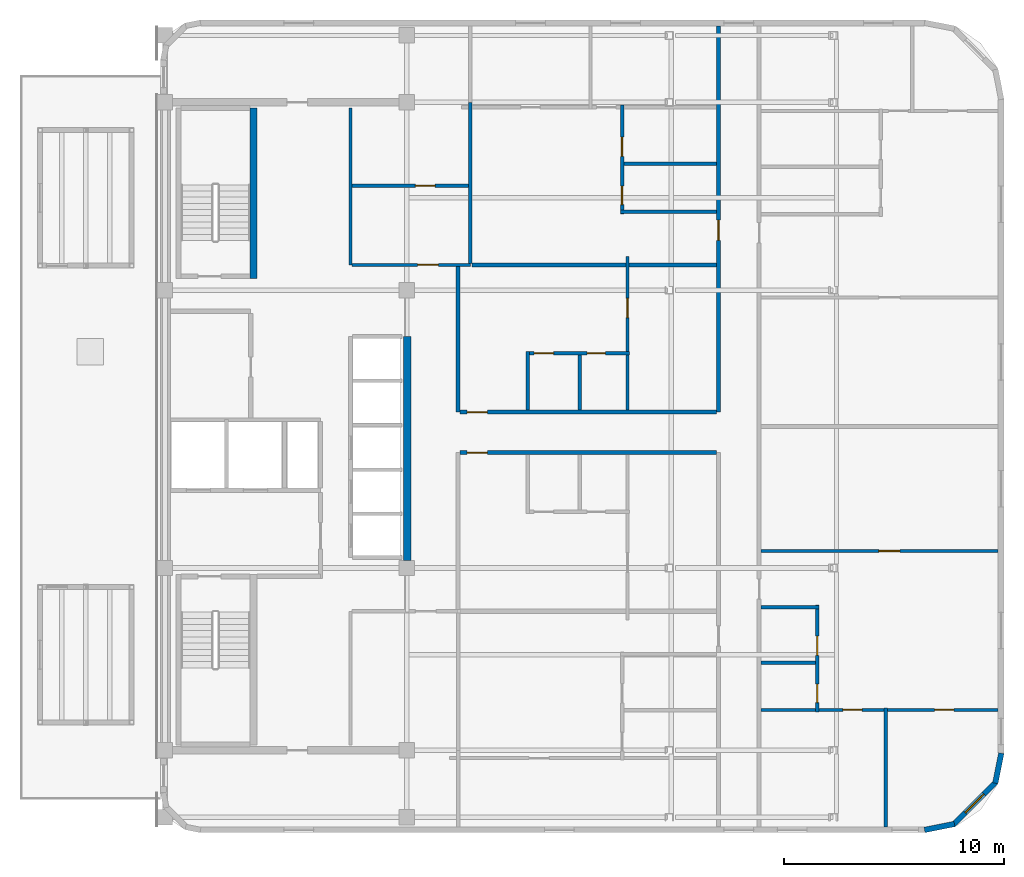
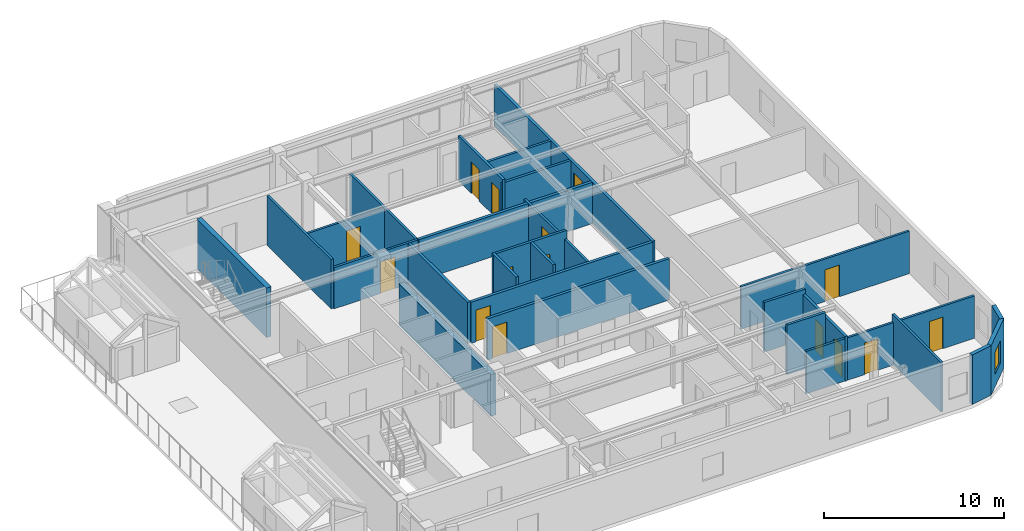
# One storey, part 10 of 13: 27 walls, 15 doors, 1 window, 16 openings.
"""IFC4 building model written with IfcOpenShell, lengths in metres."""

from ifc_helpers import new_model, si_unit, direction, frame, frame_2d, origin, place, context, subcontext, project, spatial, rectangle, extrude, material, layer, layer_set, type_object, element, fill, save


model = new_model("IFC4")

# Units and contexts
model_context = context("Model", 3, precision=1e-05, world=origin(), true_north=direction((0.0, 1.0)))
body_context = subcontext(model_context, "Body", "Model", "MODEL_VIEW")
ifc_project = project(units=[si_unit("LENGTHUNIT", "METRE"), si_unit("AREAUNIT", "SQUARE_METRE"), si_unit("VOLUMEUNIT", "CUBIC_METRE"), si_unit("PLANEANGLEUNIT", "RADIAN"), si_unit("MASSUNIT", "GRAM", prefix="KILO")], contexts=[model_context])

# Site, building, storey
site_placement = place(None, origin())
site = spatial("IfcSite", under=ifc_project, at=site_placement, CompositionType="ELEMENT")
building_placement = place(site_placement, origin())
building = spatial("IfcBuilding", under=site, at=building_placement, Name="Ochreholt Gables", CompositionType="ELEMENT")
storey_placement = place(building_placement, frame((0.0, 0.0, 205.800048828125)))
storey = spatial("IfcBuildingStorey", under=building, at=storey_placement, Name="L53", CompositionType="ELEMENT", Elevation=205.800048828125)

# Walls
ifc_material_1 = material(Name="Concrete 50 MPa", Category="concrete")
ifc_layer_1 = layer(ifc_material_1, 0.35009765625, Name="Concrete 50 MPa")
ifc_layer_set_1 = layer_set([ifc_layer_1], Name="Concrete 50 MPa")
wall_type_1 = type_object("IfcWallType", Name="WALL-CSW-350", PredefinedType="SHEAR", material=ifc_layer_set_1)
wall_1_placement = place(storey_placement, frame((35.22509765625, 17.89990234375, 0.0), z_axis=(0.0, 0.0, 1.0), x_axis=(0.0, 1.0, 0.0)))
element("IfcWall", 1, at=wall_1_placement, inside=storey, type_object=wall_type_1, Name="L53 Core Central-East Shear Wall", PredefinedType="SHEAR", context=body_context, shape_type="SweptSolid", body=[
    extrude(rectangle(XDim=10.2001953125, YDim=0.35009765625, at=frame_2d((5.10009765625, 0.0))), origin(), (0.0, 0.0, 1.0), 2.821044921875),
])
ifc_material_2 = material(Name="Precast concrete 40 MPa", Category="concrete")
ifc_layer_2 = layer(ifc_material_2, 0.25, Name="Precast concrete 40 MPa")
ifc_layer_set_2 = layer_set([ifc_layer_2], Name="Precast concrete 40 MPa")
wall_type_2 = type_object("IfcWallType", Name="WALL-EXT-CNR", PredefinedType="SOLIDWALL", material=ifc_layer_set_2)
wall_2_placement = place(storey_placement, frame((58.783447265625, 5.624267578125, 0.0), z_axis=(0.0, 0.0, 1.0), x_axis=(0.980809899341, 0.19496651342, 0.0)))
element("IfcWall", 2, at=wall_2_placement, inside=storey, type_object=wall_type_2, Name="L53 Rounded Corner Wall SE-1", PredefinedType="SOLIDWALL", context=body_context, shape_type="SweptSolid", body=[
    extrude(rectangle(XDim=1.388671875, YDim=0.25, at=frame_2d((0.6943359375, 0.0))), origin(), (0.0, 0.0, 1.0), 3.35986328125),
])

# Wall, opening, window
wall_3_placement = place(storey_placement, frame((60.094970703125, 5.867919921875, 0.0), z_axis=(0.0, 0.0, 1.0), x_axis=(0.707106781187, 0.707106781187, 0.0)))
wall_3 = element("IfcWall", 3, at=wall_3_placement, inside=storey, type_object=wall_type_2, Name="L53 Rounded Corner Wall SE-2", PredefinedType="SOLIDWALL", context=body_context, shape_type="SweptSolid", body=[
    extrude(rectangle(XDim=2.7392578125, YDim=0.25, at=frame_2d((1.36962890625, 0.0))), origin(), (0.0, 0.0, 1.0), 3.35986328125),
])
opening_1_placement = place(wall_3_placement, frame((0.769775390625, 0.0, 0.85009765625)))
opening_1 = element("IfcOpeningElement", 4, at=opening_1_placement, cuts=wall_3, Name="Opening WN-3", PredefinedType="OPENING", context=body_context, shape_type="SweptSolid", body=[
    extrude(rectangle(XDim=1.199951171875, YDim=1.5, at=frame_2d((0.60009765625, 0.75))), frame((0.0, 0.135009765625, 0.0), z_axis=(0.0, -1.0, 0.0), x_axis=(1.0, 0.0, 0.0)), (0.0, 0.0, 1.0), 0.27001953125),
])
ifc_material_3 = material(Name="Triple-Glazed Thermally Broken Aluminium Window", Category="aluminium")
window_type = type_object("IfcWindowType", Name="WIN-RES-1200", PartitioningType="SINGLE_PANEL", PredefinedType="WINDOW", material=ifc_material_3)
window_placement = place(opening_1_placement, origin())
window = element("IfcWindow", 5, at=window_placement, inside=storey, type_object=window_type, Name="L53 Corner Bedroom Window SE", OverallHeight=1.5, OverallWidth=1.199951171875, PartitioningType="SINGLE_PANEL", PredefinedType="WINDOW", context=body_context, shape_type="SweptSolid", body=[
    extrude(rectangle(XDim=1.199951171875, YDim=1.5, at=frame_2d((0.60009765625, 0.75))), frame((0.0, 0.030029296875, 0.0), z_axis=(0.0, -1.0, 0.0), x_axis=(1.0, 0.0, 0.0)), (0.0, 0.0, 1.0), 0.06005859375),
])
fill(opening_1, window)

# Walls
wall_4_placement = place(storey_placement, frame((62.0048828125, 7.75439453125, 0.0), z_axis=(0.0, 0.0, 1.0), x_axis=(0.195135625965, 0.9807762678, 0.0)))
element("IfcWall", 6, at=wall_4_placement, inside=storey, type_object=wall_type_2, Name="L53 Rounded Corner Wall SE-3", PredefinedType="SOLIDWALL", context=body_context, shape_type="SweptSolid", body=[
    extrude(rectangle(XDim=1.388671875, YDim=0.25, at=frame_2d((0.6943359375, 0.0))), origin(), (0.0, 0.0, 1.0), 3.35986328125),
])
ifc_material_4 = material(Name="Fire-Rated Gypsum Acoustic Partition", Category="gypsum")
ifc_layer_3 = layer(ifc_material_4, 0.179931640625, Name="Fire-Rated Gypsum Acoustic Partition")
ifc_layer_set_3 = layer_set([ifc_layer_3], Name="Fire-Rated Gypsum Acoustic Partition")
wall_type_3 = type_object("IfcWallType", Name="WALL-INT-CR180", PredefinedType="STANDARD", material=ifc_layer_set_3)
wall_5_placement = place(storey_placement, frame((37.550048828125, 24.64990234375, 0.0), z_axis=(0.0, 0.0, 1.0), x_axis=(0.0, 1.0, 0.0)))
element("IfcWall", 7, at=wall_5_placement, inside=storey, type_object=wall_type_3, Name="L53 Interior Wall WI-C3CE2-L53", PredefinedType="STANDARD", context=body_context, shape_type="SweptSolid", body=[
    extrude(rectangle(XDim=6.627685546875, YDim=0.179931640625, at=frame_2d((3.31396484375, 0.0))), origin(), (0.0, 0.0, 1.0), 2.802978515625),
])

# Wall, opening, door
wall_6_placement = place(storey_placement, frame((49.39990234375, 24.64990234375, 0.0), z_axis=(0.0, 0.0, 1.0), x_axis=(0.0, 1.0, 0.0)))
wall_6 = element("IfcWall", 8, at=wall_6_placement, inside=storey, type_object=wall_type_3, Name="L53 Interior Wall WI-C3GW2-L53", PredefinedType="STANDARD", context=body_context, shape_type="SweptSolid", body=[
    extrude(rectangle(XDim=17.580078125, YDim=0.179931640625, at=frame_2d((8.7900390625, 0.0))), origin(), (0.0, 0.0, 1.0), 2.802978515625),
])
opening_2_placement = place(wall_6_placement, frame((7.8173828125, 0.0, 0.0)))
opening_2 = element("IfcOpeningElement", 9, at=opening_2_placement, cuts=wall_6, Name="Opening D-UN1", PredefinedType="OPENING", context=body_context, shape_type="SweptSolid", body=[
    extrude(rectangle(XDim=0.919921875, YDim=2.14990234375, at=frame_2d((0.4599609375, 1.074951171875))), frame((0.0, 0.099853515625, 0.0), z_axis=(0.0, -1.0, 0.0), x_axis=(1.0, 0.0, 0.0)), (0.0, 0.0, 1.0), 0.199951171875),
])
ifc_material_5 = material(Name="Engineered Oak Timber", Category="wood")
door_type_1 = type_object("IfcDoorType", Name="DR-INT-UNT920", OperationType="NOTDEFINED", PredefinedType="DOOR", material=ifc_material_5)
door_1_placement = place(opening_2_placement, origin())
door_1 = element("IfcDoor", 10, at=door_1_placement, inside=storey, type_object=door_type_1, Name="L53 Door D-U-L53NM2-ENT", OperationType="SINGLE_SWING_LEFT", OverallHeight=2.14990234375, OverallWidth=0.919921875, PredefinedType="DOOR", context=body_context, shape_type="SweptSolid", body=[
    extrude(rectangle(XDim=0.919921875, YDim=2.14990234375, at=frame_2d((0.4599609375, 1.074951171875))), frame((0.0, 0.02490234375, 0.0), z_axis=(0.0, -1.0, 0.0), x_axis=(1.0, 0.0, 0.0)), (0.0, 0.0, 1.0), 0.050048828125),
])
fill(opening_2, door_1)

wall_7_placement = place(storey_placement, frame((37.639892578125, 22.800048828125, 0.0), z_axis=(0.0, 0.0, 1.0), x_axis=(1.0, 0.0, 0.0)))
wall_7 = element("IfcWall", 11, at=wall_7_placement, inside=storey, type_object=wall_type_3, Name="L53 Interior Wall WI-C3BRS1-L53", PredefinedType="STANDARD", context=body_context, shape_type="SweptSolid", body=[
    extrude(rectangle(XDim=11.670166015625, YDim=0.179931640625, at=frame_2d((5.8349609375, 0.0))), origin(), (0.0, 0.0, 1.0), 2.802978515625),
])
opening_3_placement = place(wall_7_placement, frame((0.320068359375, 0.0, 0.0)))
opening_3 = element("IfcOpeningElement", 12, at=opening_3_placement, cuts=wall_7, Name="Opening D-UN1", PredefinedType="OPENING", context=body_context, shape_type="SweptSolid", body=[
    extrude(rectangle(XDim=0.919921875, YDim=2.14990234375, at=frame_2d((0.4599609375, 1.074951171875))), frame((0.0, 0.099853515625, 0.0), z_axis=(0.0, -1.0, 0.0), x_axis=(1.0, 0.0, 0.0)), (0.0, 0.0, 1.0), 0.199951171875),
])
door_2_placement = place(opening_3_placement, origin())
door_2 = element("IfcDoor", 13, at=door_2_placement, inside=storey, type_object=door_type_1, Name="L53 Door D-U-L53SM2-ENT", OperationType="SINGLE_SWING_RIGHT", OverallHeight=2.14990234375, OverallWidth=0.919921875, PredefinedType="DOOR", context=body_context, shape_type="SweptSolid", body=[
    extrude(rectangle(XDim=0.919921875, YDim=2.14990234375, at=frame_2d((0.4599609375, 1.074951171875))), frame((0.0, 0.02490234375, 0.0), z_axis=(0.0, -1.0, 0.0), x_axis=(1.0, 0.0, 0.0)), (0.0, 0.0, 1.0), 0.050048828125),
])
fill(opening_3, door_2)

wall_8_placement = place(storey_placement, frame((37.639892578125, 24.64990234375, 0.0), z_axis=(0.0, 0.0, 1.0), x_axis=(1.0, 0.0, 0.0)))
wall_8 = element("IfcWall", 14, at=wall_8_placement, inside=storey, type_object=wall_type_3, Name="L53 Interior Wall WI-C3BRN1-L53", PredefinedType="STANDARD", context=body_context, shape_type="SweptSolid", body=[
    extrude(rectangle(XDim=11.670166015625, YDim=0.179931640625, at=frame_2d((5.8349609375, 0.0))), origin(), (0.0, 0.0, 1.0), 2.802978515625),
])
opening_4_placement = place(wall_8_placement, frame((0.320068359375, 0.0, 0.0)))
opening_4 = element("IfcOpeningElement", 15, at=opening_4_placement, cuts=wall_8, Name="Opening D-UN1", PredefinedType="OPENING", context=body_context, shape_type="SweptSolid", body=[
    extrude(rectangle(XDim=0.919921875, YDim=2.14990234375, at=frame_2d((0.4599609375, 1.074951171875))), frame((0.0, 0.099853515625, 0.0), z_axis=(0.0, -1.0, 0.0), x_axis=(1.0, 0.0, 0.0)), (0.0, 0.0, 1.0), 0.199951171875),
])
door_3_placement = place(opening_4_placement, origin())
door_3 = element("IfcDoor", 16, at=door_3_placement, inside=storey, type_object=door_type_1, Name="L53 Door D-U-L53NM1-ENT", OperationType="SINGLE_SWING_RIGHT", OverallHeight=2.14990234375, OverallWidth=0.919921875, PredefinedType="DOOR", context=body_context, shape_type="SweptSolid", body=[
    extrude(rectangle(XDim=0.919921875, YDim=2.14990234375, at=frame_2d((0.4599609375, 1.074951171875))), frame((0.0, 0.02490234375, 0.0), z_axis=(0.0, -1.0, 0.0), x_axis=(1.0, 0.0, 0.0)), (0.0, 0.0, 1.0), 0.050048828125),
])
fill(opening_4, door_3)

# Walls
ifc_material_6 = material(Name="Double-Stud Acoustic Demising Wall", Category="gypsum")
ifc_layer_4 = layer(ifc_material_6, 0.18505859375, Name="Double-Stud Acoustic Demising Wall")
ifc_layer_set_4 = layer_set([ifc_layer_4], Name="Double-Stud Acoustic Demising Wall")
wall_type_4 = type_object("IfcWallType", Name="WALL-INT-DM185", PredefinedType="PARTITIONING", material=ifc_layer_set_4)
wall_9_placement = place(storey_placement, frame((38.172607421875, 31.35009765625, 0.0), z_axis=(0.0, 0.0, 1.0), x_axis=(1.0, 0.0, 0.0)))
element("IfcWall", 17, at=wall_9_placement, inside=storey, type_object=wall_type_4, Name="L53 Interior Wall WI-C3NMY-L53", PredefinedType="PARTITIONING", context=body_context, shape_type="SweptSolid", body=[
    extrude(rectangle(XDim=11.137451171875, YDim=0.18505859375, at=frame_2d((5.56884765625, 0.0))), origin(), (0.0, 0.0, 1.0), 2.802978515625),
])
ifc_material_7 = material(Name="Moisture-Resistant Plumbing Chase Wall", Category="gypsum")
ifc_layer_5 = layer(ifc_material_7, 0.159912109375, Name="Moisture-Resistant Plumbing Chase Wall")
ifc_layer_set_5 = layer_set([ifc_layer_5], Name="Moisture-Resistant Plumbing Chase Wall")
wall_type_5 = type_object("IfcWallType", Name="WALL-INT-PL160", PredefinedType="PLUMBINGWALL", material=ifc_layer_set_5)
wall_10_placement = place(storey_placement, frame((51.340087890625, 15.7685546875, 0.0), z_axis=(0.0, 0.0, 1.0), x_axis=(1.0, 0.0, 0.0)))
element("IfcWall", 18, at=wall_10_placement, inside=storey, type_object=wall_type_5, Name="L53 Interior Wall WU-L53E1-FYN", PredefinedType="PLUMBINGWALL", context=body_context, shape_type="SweptSolid", body=[
    extrude(rectangle(XDim=2.635986328125, YDim=0.159912109375, at=frame_2d((1.31787109375, 0.0))), origin(), (0.0, 0.0, 1.0), 3.35986328125),
])

# Wall, openings, doors
wall_11_placement = place(storey_placement, frame((53.89599609375, 11.0, 0.0), z_axis=(0.0, 0.0, 1.0), x_axis=(0.0, 1.0, 0.0)))
wall_11 = element("IfcWall", 19, at=wall_11_placement, inside=storey, type_object=wall_type_5, Name="L53 Interior Wall WU-L53E1-WX", PredefinedType="PLUMBINGWALL", context=body_context, shape_type="SweptSolid", body=[
    extrude(rectangle(XDim=4.8583984375, YDim=0.159912109375, at=frame_2d((2.42919921875, 0.0))), origin(), (0.0, 0.0, 1.0), 3.0390625),
])
opening_5_placement = place(wall_11_placement, frame((0.419921875, 0.0, 0.0)))
opening_5 = element("IfcOpeningElement", 20, at=opening_5_placement, cuts=wall_11, Name="Opening D-BT2", PredefinedType="OPENING", context=body_context, shape_type="SweptSolid", body=[
    extrude(rectangle(XDim=0.840087890625, YDim=2.1201171875, at=frame_2d((0.419921875, 1.06005859375))), frame((0.0, 0.08984375, 0.0), z_axis=(0.0, -1.0, 0.0), x_axis=(1.0, 0.0, 0.0)), (0.0, 0.0, 1.0), 0.179931640625),
])
opening_6_placement = place(wall_11_placement, frame((2.572021484375, 0.0, 0.0)))
opening_6 = element("IfcOpeningElement", 21, at=opening_6_placement, cuts=wall_11, Name="Opening D-GN2", PredefinedType="OPENING", context=body_context, shape_type="SweptSolid", body=[
    extrude(rectangle(XDim=0.8798828125, YDim=2.1201171875, at=frame_2d((0.43994140625, 1.06005859375))), frame((0.0, 0.08984375, 0.0), z_axis=(0.0, -1.0, 0.0), x_axis=(1.0, 0.0, 0.0)), (0.0, 0.0, 1.0), 0.179931640625),
])
door_type_2 = type_object("IfcDoorType", Name="DR-INT-BTH840", OperationType="NOTDEFINED", PredefinedType="DOOR", material=ifc_material_5)
door_4_placement = place(opening_5_placement, origin())
door_4 = element("IfcDoor", 22, at=door_4_placement, inside=storey, type_object=door_type_2, Name="L53 Door D-U-L53E1-BTH", OperationType="SINGLE_SWING_LEFT", OverallHeight=2.1201171875, OverallWidth=0.840087890625, PredefinedType="DOOR", context=body_context, shape_type="SweptSolid", body=[
    extrude(rectangle(XDim=0.840087890625, YDim=2.1201171875, at=frame_2d((0.419921875, 1.06005859375))), frame((0.0, 0.02490234375, 0.0), z_axis=(0.0, -1.0, 0.0), x_axis=(1.0, 0.0, 0.0)), (0.0, 0.0, 1.0), 0.050048828125),
])
fill(opening_5, door_4)
door_type_3 = type_object("IfcDoorType", Name="DR-INT-GEN880", OperationType="NOTDEFINED", PredefinedType="DOOR", material=ifc_material_5)
door_5_placement = place(opening_6_placement, origin())
door_5 = element("IfcDoor", 23, at=door_5_placement, inside=storey, type_object=door_type_3, Name="L53 Door D-U-L53E1-KIT", OperationType="SINGLE_SWING_RIGHT", OverallHeight=2.1201171875, OverallWidth=0.8798828125, PredefinedType="DOOR", context=body_context, shape_type="SweptSolid", body=[
    extrude(rectangle(XDim=0.8798828125, YDim=2.1201171875, at=frame_2d((0.43994140625, 1.06005859375))), frame((0.0, 0.02490234375, 0.0), z_axis=(0.0, -1.0, 0.0), x_axis=(1.0, 0.0, 0.0)), (0.0, 0.0, 1.0), 0.050048828125),
])
fill(opening_6, door_5)

# Wall
wall_12_placement = place(storey_placement, frame((51.340087890625, 13.2421875, 0.0), z_axis=(0.0, 0.0, 1.0), x_axis=(1.0, 0.0, 0.0)))
element("IfcWall", 24, at=wall_12_placement, inside=storey, type_object=wall_type_5, Name="L53 Interior Wall WU-L53E1-WK", PredefinedType="PLUMBINGWALL", context=body_context, shape_type="SweptSolid", body=[
    extrude(rectangle(XDim=2.475830078125, YDim=0.159912109375, at=frame_2d((1.23779296875, 0.0))), origin(), (0.0, 0.0, 1.0), 3.35986328125),
])

# Wall, openings, doors
wall_13_placement = place(storey_placement, frame((40.6298828125, 27.33251953125, 0.0), z_axis=(0.0, 0.0, 1.0), x_axis=(1.0, 0.0, 0.0)))
wall_13 = element("IfcWall", 25, at=wall_13_placement, inside=storey, type_object=wall_type_5, Name="L53 Interior Wall WU-L53NM1-WY", PredefinedType="PLUMBINGWALL", context=body_context, shape_type="SweptSolid", body=[
    extrude(rectangle(XDim=4.710205078125, YDim=0.159912109375, at=frame_2d((2.35498046875, 0.0))), origin(), (0.0, 0.0, 1.0), 3.35986328125),
])
opening_7_placement = place(wall_13_placement, frame((0.3798828125, 0.0, 0.0)))
opening_7 = element("IfcOpeningElement", 26, at=opening_7_placement, cuts=wall_13, Name="Opening D-GN2", PredefinedType="OPENING", context=body_context, shape_type="SweptSolid", body=[
    extrude(rectangle(XDim=0.8798828125, YDim=2.1201171875, at=frame_2d((0.43994140625, 1.06005859375))), frame((0.0, 0.08984375, 0.0), z_axis=(0.0, -1.0, 0.0), x_axis=(1.0, 0.0, 0.0)), (0.0, 0.0, 1.0), 0.179931640625),
])
opening_8_placement = place(wall_13_placement, frame((2.785888671875, 0.0, 0.0)))
opening_8 = element("IfcOpeningElement", 27, at=opening_8_placement, cuts=wall_13, Name="Opening D-BT2", PredefinedType="OPENING", context=body_context, shape_type="SweptSolid", body=[
    extrude(rectangle(XDim=0.840087890625, YDim=2.1201171875, at=frame_2d((0.419921875, 1.06005859375))), frame((0.0, 0.08984375, 0.0), z_axis=(0.0, -1.0, 0.0), x_axis=(1.0, 0.0, 0.0)), (0.0, 0.0, 1.0), 0.179931640625),
])
door_6_placement = place(opening_8_placement, origin())
door_6 = element("IfcDoor", 28, at=door_6_placement, inside=storey, type_object=door_type_2, Name="L53 Door D-U-L53NM1-BTH", OperationType="SINGLE_SWING_RIGHT", OverallHeight=2.1201171875, OverallWidth=0.840087890625, PredefinedType="DOOR", context=body_context, shape_type="SweptSolid", body=[
    extrude(rectangle(XDim=0.840087890625, YDim=2.1201171875, at=frame_2d((0.419921875, 1.06005859375))), frame((0.0, 0.02490234375, 0.0), z_axis=(0.0, -1.0, 0.0), x_axis=(1.0, 0.0, 0.0)), (0.0, 0.0, 1.0), 0.050048828125),
])
fill(opening_8, door_6)
door_7_placement = place(opening_7_placement, origin())
door_7 = element("IfcDoor", 29, at=door_7_placement, inside=storey, type_object=door_type_3, Name="L53 Door D-U-L53NM1-KIT", OperationType="SINGLE_SWING_LEFT", OverallHeight=2.1201171875, OverallWidth=0.8798828125, PredefinedType="DOOR", context=body_context, shape_type="SweptSolid", body=[
    extrude(rectangle(XDim=0.8798828125, YDim=2.1201171875, at=frame_2d((0.43994140625, 1.06005859375))), frame((0.0, 0.02490234375, 0.0), z_axis=(0.0, -1.0, 0.0), x_axis=(1.0, 0.0, 0.0)), (0.0, 0.0, 1.0), 0.050048828125),
])
fill(opening_7, door_7)

# Walls
wall_14_placement = place(storey_placement, frame((40.7099609375, 24.739990234375, 0.0), z_axis=(0.0, 0.0, 1.0), x_axis=(0.0, 1.0, 0.0)))
element("IfcWall", 30, at=wall_14_placement, inside=storey, type_object=wall_type_5, Name="L53 Interior Wall WU-L53NM1-FY", PredefinedType="PLUMBINGWALL", context=body_context, shape_type="SweptSolid", body=[
    extrude(rectangle(XDim=2.672607421875, YDim=0.159912109375, at=frame_2d((1.33642578125, 0.0))), origin(), (0.0, 0.0, 1.0), 3.35986328125),
])
wall_15_placement = place(storey_placement, frame((43.075927734375, 24.739990234375, 0.0), z_axis=(0.0, 0.0, 1.0), x_axis=(0.0, 1.0, 0.0)))
element("IfcWall", 31, at=wall_15_placement, inside=storey, type_object=wall_type_5, Name="L53 Interior Wall WU-L53NM1-WK", PredefinedType="PLUMBINGWALL", context=body_context, shape_type="SweptSolid", body=[
    extrude(rectangle(XDim=2.512451171875, YDim=0.159912109375, at=frame_2d((1.25634765625, 0.0))), origin(), (0.0, 0.0, 1.0), 3.35986328125),
])
wall_16_placement = place(storey_placement, frame((44.929931640625, 33.767578125, 0.0), z_axis=(0.0, 0.0, 1.0), x_axis=(1.0, 0.0, 0.0)))
element("IfcWall", 32, at=wall_16_placement, inside=storey, type_object=wall_type_5, Name="L53 Interior Wall WU-L53NM2-FYS", PredefinedType="PLUMBINGWALL", context=body_context, shape_type="SweptSolid", body=[
    extrude(rectangle(XDim=4.380126953125, YDim=0.159912109375, at=frame_2d((2.18994140625, 0.0))), origin(), (0.0, 0.0, 1.0), 2.802978515625),
])

# Wall, openings, doors
wall_17_placement = place(storey_placement, frame((45.010009765625, 33.677490234375, 0.0), z_axis=(0.0, 0.0, 1.0), x_axis=(0.0, 1.0, 0.0)))
wall_17 = element("IfcWall", 33, at=wall_17_placement, inside=storey, type_object=wall_type_5, Name="L53 Interior Wall WU-L53NM2-WX", PredefinedType="PLUMBINGWALL", context=body_context, shape_type="SweptSolid", body=[
    extrude(rectangle(XDim=4.944091796875, YDim=0.159912109375, at=frame_2d((2.47216796875, 0.0))), origin(), (0.0, 0.0, 1.0), 3.0390625),
])
opening_9_placement = place(wall_17_placement, frame((0.419921875, 0.0, 0.0)))
opening_9 = element("IfcOpeningElement", 34, at=opening_9_placement, cuts=wall_17, Name="Opening D-BT2", PredefinedType="OPENING", context=body_context, shape_type="SweptSolid", body=[
    extrude(rectangle(XDim=0.840087890625, YDim=2.1201171875, at=frame_2d((0.419921875, 1.06005859375))), frame((0.0, 0.08984375, 0.0), z_axis=(0.0, -1.0, 0.0), x_axis=(1.0, 0.0, 0.0)), (0.0, 0.0, 1.0), 0.179931640625),
])
opening_10_placement = place(wall_17_placement, frame((2.611328125, 0.0, 0.0)))
opening_10 = element("IfcOpeningElement", 35, at=opening_10_placement, cuts=wall_17, Name="Opening D-GN2", PredefinedType="OPENING", context=body_context, shape_type="SweptSolid", body=[
    extrude(rectangle(XDim=0.8798828125, YDim=2.1201171875, at=frame_2d((0.43994140625, 1.06005859375))), frame((0.0, 0.08984375, 0.0), z_axis=(0.0, -1.0, 0.0), x_axis=(1.0, 0.0, 0.0)), (0.0, 0.0, 1.0), 0.179931640625),
])
door_8_placement = place(opening_9_placement, origin())
door_8 = element("IfcDoor", 36, at=door_8_placement, inside=storey, type_object=door_type_2, Name="L53 Door D-U-L53NM2-BTH", OperationType="SINGLE_SWING_RIGHT", OverallHeight=2.1201171875, OverallWidth=0.840087890625, PredefinedType="DOOR", context=body_context, shape_type="SweptSolid", body=[
    extrude(rectangle(XDim=0.840087890625, YDim=2.1201171875, at=frame_2d((0.419921875, 1.06005859375))), frame((0.0, 0.02490234375, 0.0), z_axis=(0.0, -1.0, 0.0), x_axis=(1.0, 0.0, 0.0)), (0.0, 0.0, 1.0), 0.050048828125),
])
fill(opening_9, door_8)
door_9_placement = place(opening_10_placement, origin())
door_9 = element("IfcDoor", 37, at=door_9_placement, inside=storey, type_object=door_type_3, Name="L53 Door D-U-L53NM2-KIT", OperationType="SINGLE_SWING_LEFT", OverallHeight=2.1201171875, OverallWidth=0.8798828125, PredefinedType="DOOR", context=body_context, shape_type="SweptSolid", body=[
    extrude(rectangle(XDim=0.8798828125, YDim=2.1201171875, at=frame_2d((0.43994140625, 1.06005859375))), frame((0.0, 0.02490234375, 0.0), z_axis=(0.0, -1.0, 0.0), x_axis=(1.0, 0.0, 0.0)), (0.0, 0.0, 1.0), 0.050048828125),
])
fill(opening_10, door_9)

# Walls
wall_18_placement = place(storey_placement, frame((45.090087890625, 35.958984375, 0.0), z_axis=(0.0, 0.0, 1.0), x_axis=(1.0, 0.0, 0.0)))
element("IfcWall", 38, at=wall_18_placement, inside=storey, type_object=wall_type_5, Name="L53 Interior Wall WU-L53NM2-WK", PredefinedType="PLUMBINGWALL", context=body_context, shape_type="SweptSolid", body=[
    extrude(rectangle(XDim=4.219970703125, YDim=0.159912109375, at=frame_2d((2.10986328125, 0.0))), origin(), (0.0, 0.0, 1.0), 2.802978515625),
])
ifc_material_8 = material(Name="Lightweight Stud Partition", Category="gypsum")
ifc_layer_6 = layer(ifc_material_8, 0.14501953125, Name="Lightweight Stud Partition")
ifc_layer_set_6 = layer_set([ifc_layer_6], Name="Lightweight Stud Partition")
wall_type_6 = type_object("IfcWallType", Name="WALL-INT-PT145", PredefinedType="PARTITIONING", material=ifc_layer_set_6)
wall_19_placement = place(storey_placement, frame((32.64990234375, 31.35009765625, 0.0), z_axis=(0.0, 0.0, 1.0), x_axis=(0.0, 1.0, 0.0)))
element("IfcWall", 39, at=wall_19_placement, inside=storey, type_object=wall_type_6, Name="L53 Interior Wall WI-RCM-W-L53", PredefinedType="PARTITIONING", context=body_context, shape_type="SweptSolid", body=[
    extrude(rectangle(XDim=7.14990234375, YDim=0.14501953125, at=frame_2d((3.574951171875, 0.0))), origin(), (0.0, 0.0, 1.0), 3.35986328125),
])

# Wall, opening, door
wall_20_placement = place(storey_placement, frame((32.722412109375, 31.35009765625, 0.0), z_axis=(0.0, 0.0, 1.0), x_axis=(1.0, 0.0, 0.0)))
wall_20 = element("IfcWall", 40, at=wall_20_placement, inside=storey, type_object=wall_type_6, Name="L53 Interior Wall WI-RCM-S-L53", PredefinedType="PARTITIONING", context=body_context, shape_type="SweptSolid", body=[
    extrude(rectangle(XDim=5.377685546875, YDim=0.14501953125, at=frame_2d((2.68896484375, 0.0))), origin(), (0.0, 0.0, 1.0), 2.802978515625),
])
opening_11_placement = place(wall_20_placement, frame((2.9775390625, 0.0, 0.0)))
opening_11 = element("IfcOpeningElement", 41, at=opening_11_placement, cuts=wall_20, Name="Opening D-GN1", PredefinedType="OPENING", context=body_context, shape_type="SweptSolid", body=[
    extrude(rectangle(XDim=0.949951171875, YDim=2.14990234375, at=frame_2d((0.47509765625, 1.074951171875))), frame((0.0, 0.08251953125, 0.0), z_axis=(0.0, -1.0, 0.0), x_axis=(1.0, 0.0, 0.0)), (0.0, 0.0, 1.0), 0.1650390625),
])
door_type_4 = type_object("IfcDoorType", Name="DR-INT-GEN950", OperationType="NOTDEFINED", PredefinedType="DOOR", material=ifc_material_5)
door_10_placement = place(opening_11_placement, origin())
door_10 = element("IfcDoor", 42, at=door_10_placement, inside=storey, type_object=door_type_4, Name="L53 Door D-RCM-L53", OperationType="SINGLE_SWING_RIGHT", OverallHeight=2.14990234375, OverallWidth=0.949951171875, PredefinedType="DOOR", context=body_context, shape_type="SweptSolid", body=[
    extrude(rectangle(XDim=0.949951171875, YDim=2.14990234375, at=frame_2d((0.47509765625, 1.074951171875))), frame((0.0, 0.02490234375, 0.0), z_axis=(0.0, -1.0, 0.0), x_axis=(1.0, 0.0, 0.0)), (0.0, 0.0, 1.0), 0.050048828125),
])
fill(opening_11, door_10)

# Wall
wall_21_placement = place(storey_placement, frame((38.10009765625, 31.422607421875, 0.0), z_axis=(0.0, 0.0, 1.0), x_axis=(0.0, 1.0, 0.0)))
element("IfcWall", 43, at=wall_21_placement, inside=storey, type_object=wall_type_6, Name="L53 Interior Wall WI-RCM-E-L53", PredefinedType="PARTITIONING", context=body_context, shape_type="SweptSolid", body=[
    extrude(rectangle(XDim=7.327392578125, YDim=0.14501953125, at=frame_2d((3.66357421875, 0.0))), origin(), (0.0, 0.0, 1.0), 2.802978515625),
])

# Wall, opening, door
wall_22_placement = place(storey_placement, frame((32.722412109375, 34.949951171875, 0.0), z_axis=(0.0, 0.0, 1.0), x_axis=(1.0, 0.0, 0.0)))
wall_22 = element("IfcWall", 44, at=wall_22_placement, inside=storey, type_object=wall_type_6, Name="L53 Interior Wall WI-RCM-DV-L53", PredefinedType="PARTITIONING", context=body_context, shape_type="SweptSolid", body=[
    extrude(rectangle(XDim=5.30517578125, YDim=0.14501953125, at=frame_2d((2.652587890625, 0.0))), origin(), (0.0, 0.0, 1.0), 2.802978515625),
])
opening_12_placement = place(wall_22_placement, frame((2.87744140625, 0.0, 0.0)))
opening_12 = element("IfcOpeningElement", 45, at=opening_12_placement, cuts=wall_22, Name="Opening D-SV1", PredefinedType="OPENING", context=body_context, shape_type="SweptSolid", body=[
    extrude(rectangle(XDim=0.89990234375, YDim=2.10009765625, at=frame_2d((0.449951171875, 1.050048828125))), frame((0.0, 0.08251953125, 0.0), z_axis=(0.0, -1.0, 0.0), x_axis=(1.0, 0.0, 0.0)), (0.0, 0.0, 1.0), 0.1650390625),
])
ifc_material_9 = material(Name="Hollow Metal Steel", Category="steel")
door_type_5 = type_object("IfcDoorType", Name="DR-INT-SRV900", OperationType="NOTDEFINED", PredefinedType="DOOR", material=ifc_material_9)
door_11_placement = place(opening_12_placement, origin())
door_11 = element("IfcDoor", 46, at=door_11_placement, inside=storey, type_object=door_type_5, Name="L53 Door D-RCMI-L53", OperationType="SINGLE_SWING_LEFT", OverallHeight=2.10009765625, OverallWidth=0.89990234375, PredefinedType="DOOR", context=body_context, shape_type="SweptSolid", body=[
    extrude(rectangle(XDim=0.89990234375, YDim=2.10009765625, at=frame_2d((0.449951171875, 1.050048828125))), frame((0.0, 0.02490234375, 0.0), z_axis=(0.0, -1.0, 0.0), x_axis=(1.0, 0.0, 0.0)), (0.0, 0.0, 1.0), 0.050048828125),
])
fill(opening_12, door_11)

# Wall, openings, doors
wall_23_placement = place(storey_placement, frame((51.340087890625, 11.090087890625, 0.0), z_axis=(0.0, 0.0, 1.0), x_axis=(1.0, 0.0, 0.0)))
wall_23 = element("IfcWall", 47, at=wall_23_placement, inside=storey, type_object=wall_type_6, Name="L53 Interior Wall WU-L53E1-MN", PredefinedType="PARTITIONING", context=body_context, shape_type="SweptSolid", body=[
    extrude(rectangle(XDim=10.789794921875, YDim=0.14501953125, at=frame_2d((5.39501953125, 0.0))), origin(), (0.0, 0.0, 1.0), 2.87890625),
])
opening_13_placement = place(wall_23_placement, frame((3.719482421875, 0.0, 0.0)))
opening_13 = element("IfcOpeningElement", 48, at=opening_13_placement, cuts=wall_23, Name="Opening D-BD2", PredefinedType="OPENING", context=body_context, shape_type="SweptSolid", body=[
    extrude(rectangle(XDim=0.8798828125, YDim=2.139892578125, at=frame_2d((0.43994140625, 1.06982421875))), frame((0.0, 0.08251953125, 0.0), z_axis=(0.0, -1.0, 0.0), x_axis=(1.0, 0.0, 0.0)), (0.0, 0.0, 1.0), 0.1650390625),
])
opening_14_placement = place(wall_23_placement, frame((7.896484375, 0.0, 0.0)))
opening_14 = element("IfcOpeningElement", 49, at=opening_14_placement, cuts=wall_23, Name="Opening D-BD2", PredefinedType="OPENING", context=body_context, shape_type="SweptSolid", body=[
    extrude(rectangle(XDim=0.8798828125, YDim=2.139892578125, at=frame_2d((0.43994140625, 1.06982421875))), frame((0.0, 0.08251953125, 0.0), z_axis=(0.0, -1.0, 0.0), x_axis=(1.0, 0.0, 0.0)), (0.0, 0.0, 1.0), 0.1650390625),
])
door_type_6 = type_object("IfcDoorType", Name="DR-INT-BED880", OperationType="NOTDEFINED", PredefinedType="DOOR", material=ifc_material_5)
door_12_placement = place(opening_13_placement, origin())
door_12 = element("IfcDoor", 50, at=door_12_placement, inside=storey, type_object=door_type_6, Name="L53 Door D-U-L53E1-BD1", OperationType="SINGLE_SWING_RIGHT", OverallHeight=2.139892578125, OverallWidth=0.8798828125, PredefinedType="DOOR", context=body_context, shape_type="SweptSolid", body=[
    extrude(rectangle(XDim=0.8798828125, YDim=2.139892578125, at=frame_2d((0.43994140625, 1.06982421875))), frame((0.0, 0.02490234375, 0.0), z_axis=(0.0, -1.0, 0.0), x_axis=(1.0, 0.0, 0.0)), (0.0, 0.0, 1.0), 0.050048828125),
])
fill(opening_13, door_12)
door_13_placement = place(opening_14_placement, origin())
door_13 = element("IfcDoor", 51, at=door_13_placement, inside=storey, type_object=door_type_6, Name="L53 Door D-U-L53E1-BD2", OperationType="SINGLE_SWING_LEFT", OverallHeight=2.139892578125, OverallWidth=0.8798828125, PredefinedType="DOOR", context=body_context, shape_type="SweptSolid", body=[
    extrude(rectangle(XDim=0.8798828125, YDim=2.139892578125, at=frame_2d((0.43994140625, 1.06982421875))), frame((0.0, 0.02490234375, 0.0), z_axis=(0.0, -1.0, 0.0), x_axis=(1.0, 0.0, 0.0)), (0.0, 0.0, 1.0), 0.050048828125),
])
fill(opening_14, door_13)

# Wall, opening, door
wall_24_placement = place(storey_placement, frame((51.340087890625, 18.32568359375, 0.0), z_axis=(0.0, 0.0, 1.0), x_axis=(1.0, 0.0, 0.0)))
wall_24 = element("IfcWall", 52, at=wall_24_placement, inside=storey, type_object=wall_type_6, Name="L53 Interior Wall WU-L53E1-DNW", PredefinedType="PARTITIONING", context=body_context, shape_type="SweptSolid", body=[
    extrude(rectangle(XDim=10.789794921875, YDim=0.14501953125, at=frame_2d((5.39501953125, 0.0))), origin(), (0.0, 0.0, 1.0), 2.87890625),
])
opening_15_placement = place(wall_24_placement, frame((5.364990234375, 0.0, 0.0)))
opening_15 = element("IfcOpeningElement", 53, at=opening_15_placement, cuts=wall_24, Name="Opening D-GN1", PredefinedType="OPENING", context=body_context, shape_type="SweptSolid", body=[
    extrude(rectangle(XDim=0.949951171875, YDim=2.14990234375, at=frame_2d((0.47509765625, 1.074951171875))), frame((0.0, 0.08251953125, 0.0), z_axis=(0.0, -1.0, 0.0), x_axis=(1.0, 0.0, 0.0)), (0.0, 0.0, 1.0), 0.1650390625),
])
door_14_placement = place(opening_15_placement, origin())
door_14 = element("IfcDoor", 54, at=door_14_placement, inside=storey, type_object=door_type_4, Name="L53 Door D-U-L53E1-DIN", OperationType="SINGLE_SWING_LEFT", OverallHeight=2.14990234375, OverallWidth=0.949951171875, PredefinedType="DOOR", context=body_context, shape_type="SweptSolid", body=[
    extrude(rectangle(XDim=0.949951171875, YDim=2.14990234375, at=frame_2d((0.47509765625, 1.074951171875))), frame((0.0, 0.02490234375, 0.0), z_axis=(0.0, -1.0, 0.0), x_axis=(1.0, 0.0, 0.0)), (0.0, 0.0, 1.0), 0.050048828125),
])
fill(opening_15, door_14)

# Wall
wall_25_placement = place(storey_placement, frame((57.01318359375, 5.77001953125, 0.0), z_axis=(0.0, 0.0, 1.0), x_axis=(0.0, 1.0, 0.0)))
element("IfcWall", 55, at=wall_25_placement, inside=storey, type_object=wall_type_6, Name="L53 Interior Wall WU-L53E1-BSD", PredefinedType="PARTITIONING", context=body_context, shape_type="SweptSolid", body=[
    extrude(rectangle(XDim=5.39990234375, YDim=0.14501953125, at=frame_2d((2.699951171875, 0.0))), origin(), (0.0, 0.0, 1.0), 3.35986328125),
])

# Wall, opening, door
wall_26_placement = place(storey_placement, frame((45.260009765625, 24.739990234375, 0.0), z_axis=(0.0, 0.0, 1.0), x_axis=(0.0, 1.0, 0.0)))
wall_26 = element("IfcWall", 56, at=wall_26_placement, inside=storey, type_object=wall_type_6, Name="L53 Interior Wall WU-L53NM1-MNX", PredefinedType="PARTITIONING", context=body_context, shape_type="SweptSolid", body=[
    extrude(rectangle(XDim=7.0, YDim=0.14501953125, at=frame_2d((3.5, 0.0))), origin(), (0.0, 0.0, 1.0), 2.802978515625),
])
opening_16_placement = place(wall_26_placement, frame((4.206298828125, 0.0, 0.0)))
opening_16 = element("IfcOpeningElement", 57, at=opening_16_placement, cuts=wall_26, Name="Opening D-BD2", PredefinedType="OPENING", context=body_context, shape_type="SweptSolid", body=[
    extrude(rectangle(XDim=0.8798828125, YDim=2.139892578125, at=frame_2d((0.43994140625, 1.06982421875))), frame((0.0, 0.08251953125, 0.0), z_axis=(0.0, -1.0, 0.0), x_axis=(1.0, 0.0, 0.0)), (0.0, 0.0, 1.0), 0.1650390625),
])
door_15_placement = place(opening_16_placement, origin())
door_15 = element("IfcDoor", 58, at=door_15_placement, inside=storey, type_object=door_type_6, Name="L53 Door D-U-L53NM1-BD1", OperationType="SINGLE_SWING_LEFT", OverallHeight=2.139892578125, OverallWidth=0.8798828125, PredefinedType="DOOR", context=body_context, shape_type="SweptSolid", body=[
    extrude(rectangle(XDim=0.8798828125, YDim=2.139892578125, at=frame_2d((0.43994140625, 1.06982421875))), frame((0.0, 0.02490234375, 0.0), z_axis=(0.0, -1.0, 0.0), x_axis=(1.0, 0.0, 0.0)), (0.0, 0.0, 1.0), 0.050048828125),
])
fill(opening_16, door_15)

# Wall
ifc_material_10 = material(Name="Concrete 60 MPa", Category="concrete")
ifc_layer_7 = layer(ifc_material_10, 0.300048828125, Name="Concrete 60 MPa")
ifc_layer_set_7 = layer_set([ifc_layer_7], Name="Concrete 60 MPa")
wall_type_7 = type_object("IfcWallType", Name="WALL-SPN-300", PredefinedType="SHEAR", material=ifc_layer_set_7)
wall_27_placement = place(storey_placement, frame((28.22998046875, 30.739990234375, 0.0), z_axis=(0.0, 0.0, 1.0), x_axis=(0.0, 1.0, 0.0)))
element("IfcWall", 59, at=wall_27_placement, inside=storey, type_object=wall_type_7, Name="L53 Core North Spine Shear Wall", PredefinedType="SHEAR", context=body_context, shape_type="SweptSolid", body=[
    extrude(rectangle(XDim=7.760009765625, YDim=0.300048828125, at=frame_2d((3.8798828125, 0.0))), origin(), (0.0, 0.0, 1.0), 3.35986328125),
])

save(model, "model.ifc")
